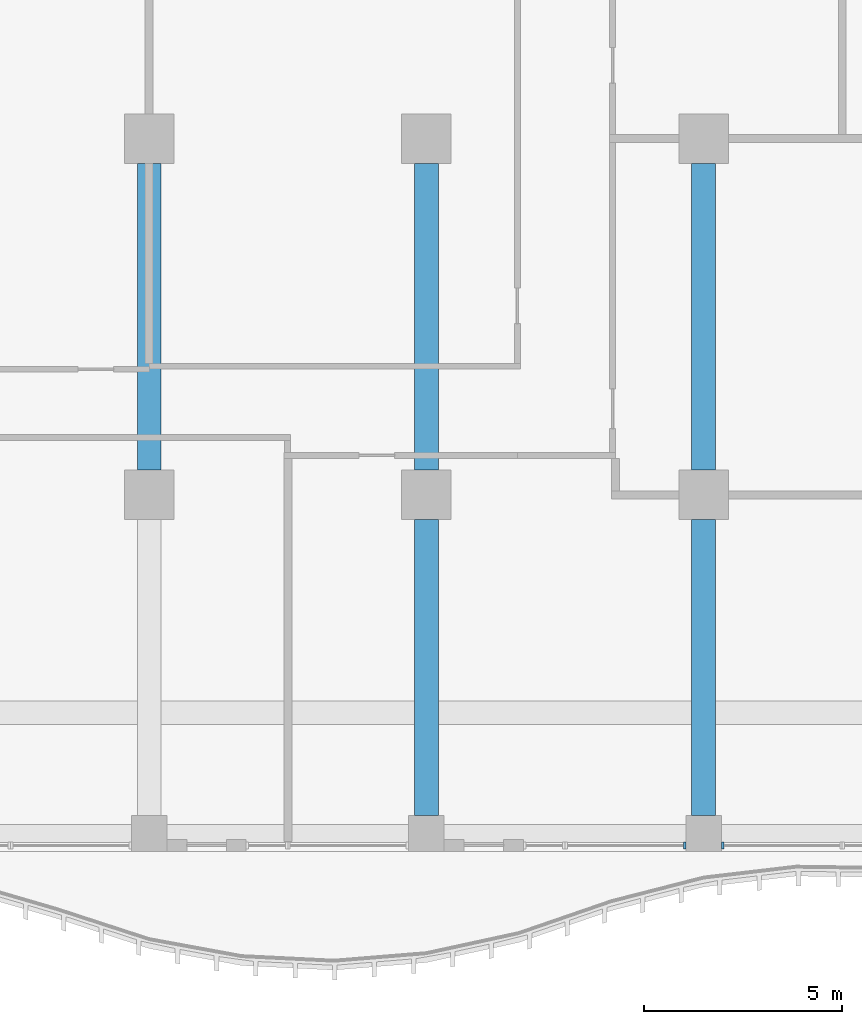
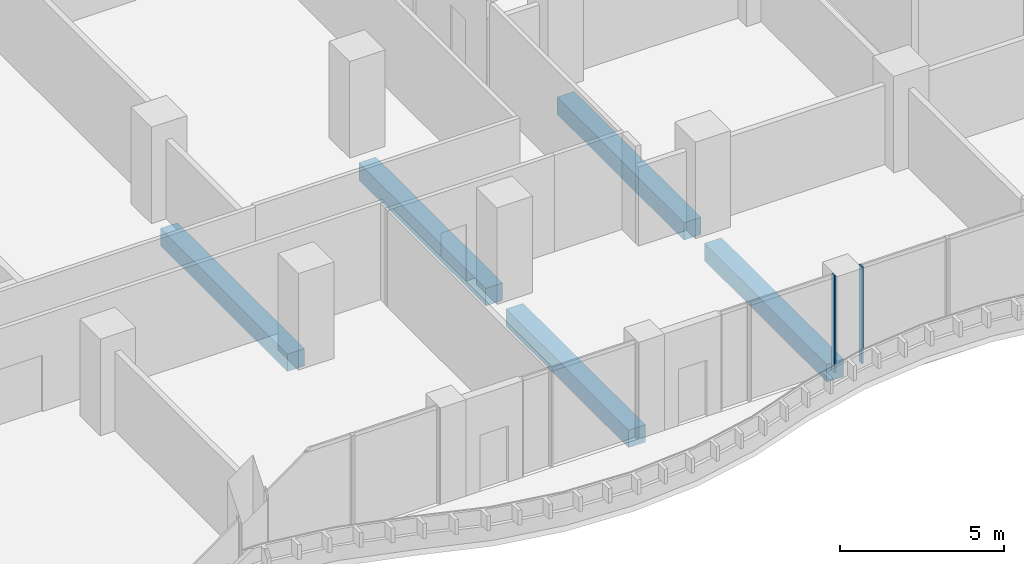
# One storey, part 4 of 21: 5 beams, 2 members, 2 elements without a shape of their own.
"""IFC4 building model written with IfcOpenShell, lengths in metres."""

import ifcopenshell
import ifcopenshell.guid

model = None  # the IFC model being written
_history = None  # IfcOwnerHistory: only IFC2X3 demands one
_inside = {}  # id of a spatial element -> (the spatial element, [elements in it])
_under = {}  # id of a project, library or spatial element -> (it, [spatial elements below it])
_declared = {}  # id of a project -> (the project, [libraries it declares])
_typed = {}  # id of a type object -> (the type object, [elements of that type])
_made_of = {}  # id of a material, layer set ... -> (it, [elements and type objects made of it])


def new_model(schema):
    """Start an empty IFC model of exactly this schema.

    Asked for "IFC4X3", IfcOpenShell would pick the latest addendum, in which some entities
    have other attributes; the version numbers below select the first issue.
    IFC2X3 requires an IfcOwnerHistory on every rooted entity: one is made here for all.
    """
    global model, _history
    if schema == "IFC4X3":
        model = ifcopenshell.file(schema_version=(4, 3, 0, 0))
    else:
        model = ifcopenshell.file(schema=schema)
    _inside.clear()
    _under.clear()
    _declared.clear()
    _typed.clear()
    _made_of.clear()
    _history = None
    if model.schema == "IFC2X3":
        org = make("IfcOrganization", Name="unknown")
        user = make(
            "IfcPersonAndOrganization",
            ThePerson=make("IfcPerson", FamilyName="unknown"),
            TheOrganization=org,
        )
        app = make(
            "IfcApplication",
            ApplicationDeveloper=org,
            Version="unknown",
            ApplicationFullName="unknown",
            ApplicationIdentifier="unknown",
        )
        _history = make(
            "IfcOwnerHistory",
            OwningUser=user,
            OwningApplication=app,
            ChangeAction="ADDED",
            CreationDate=0,
        )
    return model


def make(cls, **values):
    """One entity of the class cls with the attributes given. An attribute that is None is left unset."""
    return model.create_entity(
        cls, **{name: value for name, value in values.items() if value is not None}
    )


def rooted(cls, **values):
    """An entity with a GlobalId (a new one), such as an element, a storey or a relation."""
    return make(cls, GlobalId=ifcopenshell.guid.new(), OwnerHistory=_history, **values)


def si_unit(unit_type, name, prefix=None):
    """IfcSIUnit, for example si_unit("LENGTHUNIT", "METRE", prefix="MILLI")."""
    return make("IfcSIUnit", UnitType=unit_type, Prefix=prefix, Name=name)


def assignment(units):
    """IfcUnitAssignment: the units of a project."""
    return None if units is None else make("IfcUnitAssignment", Units=units)


def point(xyz):
    """IfcCartesianPoint."""
    return None if xyz is None else make("IfcCartesianPoint", Coordinates=xyz)


def direction(xyz):
    """IfcDirection."""
    return None if xyz is None else make("IfcDirection", DirectionRatios=xyz)


def frame(location, z_axis=None, x_axis=None):
    """IfcAxis2Placement3D, a coordinate frame: its origin and axes. An axis left out is left unset."""
    return make(
        "IfcAxis2Placement3D",
        Location=point(location),
        Axis=direction(z_axis),
        RefDirection=direction(x_axis),
    )


def frame_2d(location, x_axis=None):
    """IfcAxis2Placement2D, a coordinate frame in the plane: its origin and x axis."""
    return make(
        "IfcAxis2Placement2D", Location=point(location), RefDirection=direction(x_axis)
    )


def origin():
    """The frame at (0, 0, 0) with its axes left unset."""
    return frame((0.0, 0.0, 0.0))


def origin_2d():
    """The frame at (0, 0) in the plane with its x axis left unset."""
    return frame_2d((0.0, 0.0))


def place(relative_to, where):
    """IfcLocalPlacement: puts the frame where relative to a parent placement (None: the world)."""
    return make(
        "IfcLocalPlacement", PlacementRelTo=relative_to, RelativePlacement=where
    )


def context(
    kind, dimensions, precision=None, world=None, true_north=None, identifier=None
):
    """IfcGeometricRepresentationContext, for example the 3D "Model" context."""
    return make(
        "IfcGeometricRepresentationContext",
        ContextIdentifier=identifier,
        ContextType=kind,
        CoordinateSpaceDimension=dimensions,
        Precision=precision,
        WorldCoordinateSystem=world,
        TrueNorth=true_north,
    )


def subcontext(parent, identifier, kind, view, scale=None):
    """IfcGeometricRepresentationSubContext, for example "Body" below "Model"."""
    return make(
        "IfcGeometricRepresentationSubContext",
        ContextIdentifier=identifier,
        ContextType=kind,
        ParentContext=parent,
        TargetScale=scale,
        TargetView=view,
    )


def project(units=None, contexts=None):
    """IfcProject with its units and contexts."""
    return rooted(
        "IfcProject",
        Name="project",
        RepresentationContexts=contexts,
        UnitsInContext=assignment(units),
    )


def spatial(cls, under=None, at=None, **own):
    """A site, building, storey or space (cls), placed at a placement, below another one or the project."""
    s = rooted(cls, ObjectPlacement=at, **own)
    if under is not None:
        _under.setdefault(under.id(), (under, []))[1].append(s)
    return s


def profile(cls, at=None, kind="AREA", **sizes):
    """A parametric profile (cls). Its sizes go by their IFC names, for example OverallWidth=200.0."""
    return make(cls, ProfileType=kind, Position=at, **sizes)


def rectangle(**sizes):
    """IfcRectangleProfileDef."""
    return profile("IfcRectangleProfileDef", **sizes)


def extrude(swept, where, along, depth):
    """IfcExtrudedAreaSolid: the profile swept, set in the frame where, extruded along a direction by depth."""
    return make(
        "IfcExtrudedAreaSolid",
        SweptArea=swept,
        Position=where,
        ExtrudedDirection=direction(along),
        Depth=depth,
    )


def shape(context_of_items, identifier, shape_type, items):
    """IfcShapeRepresentation: the items that make up one representation, for example the "Body"."""
    return make(
        "IfcShapeRepresentation",
        ContextOfItems=context_of_items,
        RepresentationIdentifier=identifier,
        RepresentationType=shape_type,
        Items=items,
    )


def source(mapping_origin, context_of_items, identifier, shape_type, items):
    """IfcRepresentationMap: a shape defined once, which mapped items show again and again."""
    return make(
        "IfcRepresentationMap",
        MappingOrigin=mapping_origin,
        MappedRepresentation=shape(context_of_items, identifier, shape_type, items),
    )


def transform(
    local_origin,
    x_axis=None,
    y_axis=None,
    z_axis=None,
    scale=None,
    scale2=None,
    scale3=None,
    uniform=True,
):
    """IfcCartesianTransformationOperator3D, or its non-uniform kind. x_axis, y_axis, z_axis: its Axis1, 2, 3."""
    if uniform:
        return make(
            "IfcCartesianTransformationOperator3D",
            Axis1=direction(x_axis),
            Axis2=direction(y_axis),
            LocalOrigin=point(local_origin),
            Scale=scale,
            Axis3=direction(z_axis),
        )
    return make(
        "IfcCartesianTransformationOperator3DnonUniform",
        Axis1=direction(x_axis),
        Axis2=direction(y_axis),
        LocalOrigin=point(local_origin),
        Scale=scale,
        Axis3=direction(z_axis),
        Scale2=scale2,
        Scale3=scale3,
    )


def mapped(mapping_source, mapping_target):
    """IfcMappedItem: shows the shape of a source again, moved by a transform."""
    return make(
        "IfcMappedItem", MappingSource=mapping_source, MappingTarget=mapping_target
    )


def material(Name=None, Category=None):
    """IfcMaterial."""
    return make("IfcMaterial", Name=Name, Category=Category)


def material_profile(
    of_material, cross_section, Name=None, Category=None, Priority=None
):
    """IfcMaterialProfile: a cross section and its material."""
    return make(
        "IfcMaterialProfile",
        Name=Name,
        Material=of_material,
        Profile=cross_section,
        Priority=Priority,
        Category=Category,
    )


def profile_set(profiles, Name=None, composite=None):
    """IfcMaterialProfileSet."""
    return make(
        "IfcMaterialProfileSet",
        Name=Name,
        MaterialProfiles=profiles,
        CompositeProfile=composite,
    )


def made_of(thing, what):
    """Note that an element or type object is made of a material, layer set ...; save() writes the relation."""
    if what is not None:
        _made_of.setdefault(what.id(), (what, []))[1].append(thing)
    return thing


def type_object(cls, material=None, **own):
    """A type object (cls), such as IfcWallType, which elements share."""
    return made_of(rooted(cls, **own), material)


def element(
    cls,
    number,
    at=None,
    inside=None,
    cuts=None,
    type_object=None,
    material=None,
    context=None,
    identifier="Body",
    shape_type=None,
    held_by="IfcProductDefinitionShape",
    body=None,
    shapes=None,
    **own,
):
    """One element of the class cls, such as IfcWall. Its Tag is "e" and its number.

    at: its placement. inside: the storey or other place that contains it. cuts: it is an
    opening in that element (IfcRelVoidsElement). A single representation is given by context,
    identifier, shape_type and body (its items); several are given by shapes. held_by: the class
    of the entity that holds the representations. save() writes the other relations.
    """
    e = rooted(cls, Tag="e%d" % number, ObjectPlacement=at, **own)
    if body is not None:
        shapes = [shape(context, identifier, shape_type, body)]
    if shapes is not None:
        e.Representation = make(held_by, Representations=shapes)
    if inside is not None:
        _inside.setdefault(inside.id(), (inside, []))[1].append(e)
    if cuts is not None:
        rooted(
            "IfcRelVoidsElement", RelatingBuildingElement=cuts, RelatedOpeningElement=e
        )
    if type_object is not None:
        _typed.setdefault(type_object.id(), (type_object, []))[1].append(e)
    return made_of(e, material)


def aggregate(whole, parts):
    """IfcRelAggregates: a whole, such as a stair, and the parts it consists of."""
    return rooted("IfcRelAggregates", RelatingObject=whole, RelatedObjects=parts)


def save(model, path):
    """Write the relations noted so far, then the file.

    IfcRelAggregates (storeys below a building ...), IfcRelContainedInSpatialStructure (elements
    in a storey), IfcRelDefinesByType, IfcRelAssociatesMaterial and IfcRelDeclares: one each for
    every whole, place, type object, material and project.
    """
    for whole, parts in _under.values():
        aggregate(whole, parts)
    for where, things in _inside.values():
        rooted(
            "IfcRelContainedInSpatialStructure",
            RelatedElements=things,
            RelatingStructure=where,
        )
    for kind, things in _typed.values():
        rooted("IfcRelDefinesByType", RelatedObjects=things, RelatingType=kind)
    for what, things in _made_of.values():
        rooted("IfcRelAssociatesMaterial", RelatedObjects=things, RelatingMaterial=what)
    for by, libraries in _declared.values():
        rooted("IfcRelDeclares", RelatingContext=by, RelatedDefinitions=libraries)
    model.write(path)


model = new_model("IFC4")

# Units and contexts
model_context = context("Model", 3, precision=1e-05, world=origin(), true_north=direction((0.0, 1.0)))
body_context = subcontext(model_context, "Body", "Model", "MODEL_VIEW")
ifc_project = project(units=[si_unit("LENGTHUNIT", "METRE"), si_unit("AREAUNIT", "SQUARE_METRE"), si_unit("VOLUMEUNIT", "CUBIC_METRE"), si_unit("PLANEANGLEUNIT", "RADIAN"), si_unit("MASSUNIT", "GRAM", prefix="KILO")], contexts=[model_context])

# Site, building, storey
site_placement = place(None, origin())
site = spatial("IfcSite", under=ifc_project, at=site_placement, CompositionType="ELEMENT")
building_placement = place(site_placement, origin())
building = spatial("IfcBuilding", under=site, at=building_placement, Name="Kilnfold Tower and Market Hall", CompositionType="ELEMENT")
storey_placement = place(building_placement, frame((0.0, 0.0, 91.199951171875)))
storey = spatial("IfcBuildingStorey", under=building, at=storey_placement, Name="L21", CompositionType="ELEMENT", Elevation=91.199951171875)

# Beams
ifc_material_1 = material(Name="Concrete C45", Category="concrete")
ifc_material_profile_1 = material_profile(ifc_material_1, rectangle(XDim=0.60009765625, YDim=0.64990234375, at=origin_2d()), Name="RC 600x650")
ifc_profile_set_1 = profile_set([ifc_material_profile_1], Name="Concrete C45")
beam_type = type_object("IfcBeamType", Name="BEAM 600X650 C45", PredefinedType="BEAM", material=ifc_profile_set_1)
shared_shape_1 = source(origin(), body_context, "Body", "SweptSolid", [
    extrude(rectangle(XDim=0.60009765625, YDim=0.64990234375, at=origin_2d()), origin(), (0.0, 0.0, 1.0), 7.47509765625),
])
for number, where, z_axis, x_axis, name in (
    (1, (1.5, -27.10009765625, -0.60498046875), (0.0, 1.0, 0.0), (-1.0, 0.0, 0.0), "Beam BB650-B2.87"),
    (2, (8.5, -27.10009765625, -0.60498046875), (0.0, 1.0, 0.0), (-1.0, 0.0, 0.0), "Beam BB650-B2.89"),
):
    element("IfcBeam", number, at=place(storey_placement, frame(where, z_axis=z_axis, x_axis=x_axis)), inside=storey, type_object=beam_type, Name=name, PredefinedType="BEAM", context=body_context, shape_type="MappedRepresentation", body=[
        mapped(shared_shape_1, transform((0.0, 0.0, 0.0))),
    ])
shared_shape_2 = source(origin(), body_context, "Body", "SweptSolid", [
    extrude(rectangle(XDim=0.60009765625, YDim=0.64990234375, at=origin_2d()), origin(), (0.0, 0.0, 1.0), 7.75),
])
for number, where, z_axis, x_axis, name in (
    (3, (-5.5, -18.375, -0.60498046875), (0.0, 1.0, 0.0), (-1.0, 0.0, 0.0), "Beam BB650-B2.86"),
    (4, (1.5, -18.375, -0.60498046875), (0.0, 1.0, 0.0), (-1.0, 0.0, 0.0), "Beam BB650-B2.88"),
    (5, (8.5, -18.375, -0.60498046875), (0.0, 1.0, 0.0), (-1.0, 0.0, 0.0), "Beam BB650-B2.90"),
):
    element("IfcBeam", number, at=place(storey_placement, frame(where, z_axis=z_axis, x_axis=x_axis)), inside=storey, type_object=beam_type, Name=name, PredefinedType="BEAM", context=body_context, shape_type="MappedRepresentation", body=[
        mapped(shared_shape_2, transform((0.0, 0.0, 0.0))),
    ])

# Curtain wall, member
ifc_material_2 = material(Name="Aluminium and double glazing", Category="aluminium")
curtain_wall_type = type_object("IfcCurtainWallType", Name="CW OF1 VALLEY GLAZING", PredefinedType="NOTDEFINED", material=ifc_material_2)
curtain_wall_1_placement = place(storey_placement, origin())
curtain_wall_1 = element("IfcCurtainWall", 6, at=curtain_wall_1_placement, inside=storey, type_object=curtain_wall_type, Name="Curtain wall CW1 L21 S", PredefinedType="NOTDEFINED")
ifc_material_3 = material(Name="Aluminium", Category="aluminium")
ifc_material_profile_2 = material_profile(ifc_material_3, rectangle(XDim=0.06005859375, YDim=0.179931640625, at=origin_2d()), Name="MULLION 60x180")
ifc_profile_set_2 = profile_set([ifc_material_profile_2], Name="Aluminium")
member_type = type_object("IfcMemberType", Name="MULLION 60X180", PredefinedType="MULLION", material=ifc_profile_set_2)
shared_shape_3 = source(origin(), body_context, "Body", "SweptSolid", [
    extrude(rectangle(XDim=0.06005859375, YDim=0.179931640625, at=origin_2d()), origin(), (0.0, 0.0, 1.0), 3.60009765625),
])
member_1_placement = place(storey_placement, frame((8.02001953125, -27.85009765625, 0.0), z_axis=(0.0, 0.0, 1.0), x_axis=(1.0, 0.0, 0.0)))
member_1 = element("IfcMember", 7, at=member_1_placement, type_object=member_type, Name="CW1 mullion 2", PredefinedType="MULLION", context=body_context, shape_type="MappedRepresentation", body=[
    mapped(shared_shape_3, transform((0.0, 0.0, 0.0))),
])
aggregate(curtain_wall_1, [member_1])

curtain_wall_2_placement = place(storey_placement, origin())
curtain_wall_2 = element("IfcCurtainWall", 8, at=curtain_wall_2_placement, inside=storey, type_object=curtain_wall_type, Name="Curtain wall CW1 L21 S", PredefinedType="NOTDEFINED")
member_2_placement = place(storey_placement, frame((8.97998046875, -27.85009765625, 0.0), z_axis=(0.0, 0.0, 1.0), x_axis=(1.0, 0.0, 0.0)))
member_2 = element("IfcMember", 9, at=member_2_placement, type_object=member_type, Name="CW1 mullion 1", PredefinedType="MULLION", context=body_context, shape_type="MappedRepresentation", body=[
    mapped(shared_shape_3, transform((0.0, 0.0, 0.0))),
])
aggregate(curtain_wall_2, [member_2])

save(model, "model.ifc")
